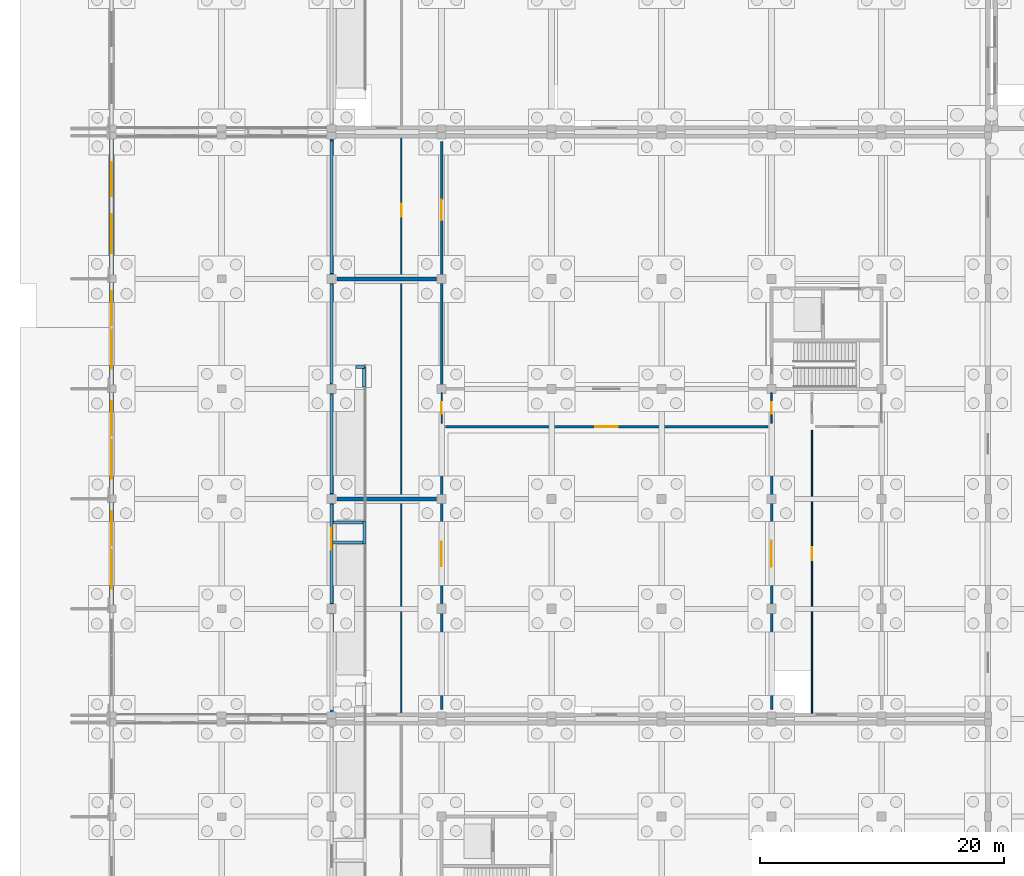
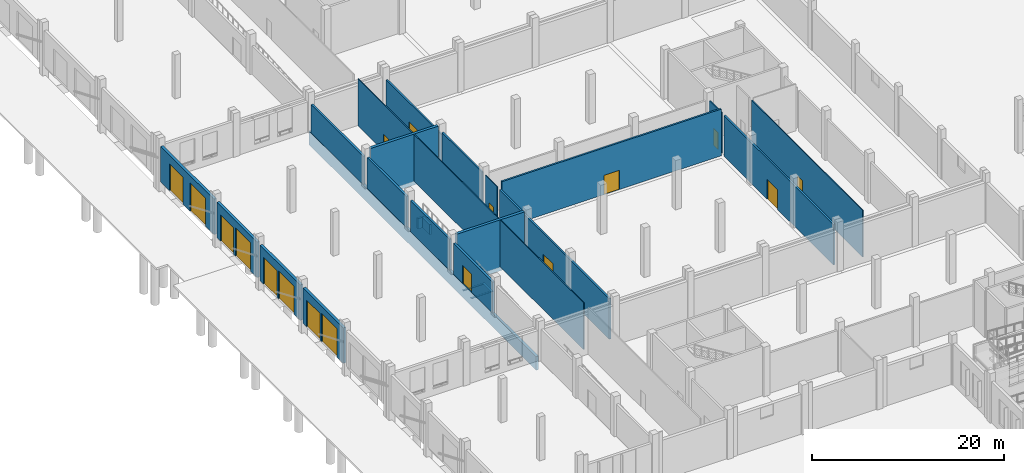
# One storey, part 60 of 99: 25 walls, 17 doors, 17 openings.
"""IFC4 building model written with IfcOpenShell, lengths in metres."""

from ifc_helpers import new_model, si_unit, direction, frame, frame_2d, origin, place, context, subcontext, project, spatial, rectangle, extrude, material, layer, layer_set, type_object, element, fill, save


model = new_model("IFC4")

# Units and contexts
model_context = context("Model", 3, precision=1e-05, world=origin(), true_north=direction((0.0, 1.0)))
body_context = subcontext(model_context, "Body", "Model", "MODEL_VIEW")
ifc_project = project(units=[si_unit("LENGTHUNIT", "METRE"), si_unit("AREAUNIT", "SQUARE_METRE"), si_unit("VOLUMEUNIT", "CUBIC_METRE"), si_unit("PLANEANGLEUNIT", "RADIAN"), si_unit("MASSUNIT", "GRAM", prefix="KILO")], contexts=[model_context])

# Site, building, storey
site_placement = place(None, origin())
site = spatial("IfcSite", under=ifc_project, at=site_placement, CompositionType="ELEMENT")
building_placement = place(site_placement, origin())
building = spatial("IfcBuilding", under=site, at=building_placement, Name="Zacnel Wholesale Market", CompositionType="ELEMENT")
storey_placement = place(building_placement, origin())
storey = spatial("IfcBuildingStorey", under=building, at=storey_placement, Name="L01", CompositionType="ELEMENT", Elevation=0.0)

# Wall
ifc_material_1 = material(Name="PIR insulated cold-store panel")
ifc_layer_1 = layer(ifc_material_1, 0.195068359375)
ifc_layer_set_1 = layer_set([ifc_layer_1], Name="PIR insulated cold-store panel")
wall_type_1 = type_object("IfcWallType", Name="WL-COLD-INT195", PredefinedType="STANDARD", material=ifc_layer_set_1)
wall_1_placement = place(storey_placement, frame((27.0, 75.300048828125, 0.0), z_axis=(0.0, 0.0, 1.0), x_axis=(0.0, 1.0, 0.0)))
element("IfcWall", 1, at=wall_1_placement, inside=storey, type_object=wall_type_1, Name="Interior partition L01-0006", PredefinedType="STANDARD", context=body_context, shape_type="SweptSolid", body=[
    extrude(rectangle(XDim=8.324951171875, YDim=0.195068359375, at=frame_2d((4.16259765625, 0.0))), origin(), (0.0, 0.0, 1.0), 5.179931640625),
])

# Wall, opening, door
wall_2_placement = place(storey_placement, frame((27.0, 83.625, 0.0), z_axis=(0.0, 0.0, 1.0), x_axis=(0.0, 1.0, 0.0)))
wall_2 = element("IfcWall", 2, at=wall_2_placement, inside=storey, type_object=wall_type_1, Name="Interior partition L01-0006 part 2", PredefinedType="STANDARD", context=body_context, shape_type="SweptSolid", body=[
    extrude(rectangle(XDim=11.625, YDim=0.195068359375, at=frame_2d((5.8125, 0.0))), origin(), (0.0, 0.0, 1.0), 4.830078125),
])
opening_1_placement = place(wall_2_placement, frame((5.14990234375, 0.0, 0.0)))
opening_1 = element("IfcOpeningElement", 3, at=opening_1_placement, cuts=wall_2, Name="Opening CD-02", PredefinedType="OPENING", context=body_context, shape_type="SweptSolid", body=[
    extrude(rectangle(XDim=1.699951171875, YDim=2.39990234375, at=frame_2d((0.85009765625, 1.199951171875))), frame((0.0, 0.107421875, 0.0), z_axis=(0.0, -1.0, 0.0), x_axis=(1.0, 0.0, 0.0)), (0.0, 0.0, 1.0), 0.215087890625),
])
ifc_material_2 = material(Name="Galvanized steel", Category="steel")
door_type_1 = type_object("IfcDoorType", Name="DR-COLD-SLIDE-1700", OperationType="NOTDEFINED", PredefinedType="DOOR", material=ifc_material_2)
door_1_placement = place(opening_1_placement, origin())
door_1 = element("IfcDoor", 4, at=door_1_placement, inside=storey, type_object=door_type_1, Name="Interior door L01-0006", OperationType="SLIDING_TO_LEFT", OverallHeight=2.39990234375, OverallWidth=1.699951171875, PredefinedType="DOOR", context=body_context, shape_type="SweptSolid", body=[
    extrude(rectangle(XDim=1.699951171875, YDim=2.39990234375, at=frame_2d((0.85009765625, 1.199951171875))), frame((0.0, 0.02490234375, 0.0), z_axis=(0.0, -1.0, 0.0), x_axis=(1.0, 0.0, 0.0)), (0.0, 0.0, 1.0), 0.050048828125),
])
fill(opening_1, door_1)

ifc_material_3 = material(Name="PIR insulated cold-store panel")
ifc_layer_2 = layer(ifc_material_3, 0.2099609375)
ifc_layer_set_2 = layer_set([ifc_layer_2], Name="PIR insulated cold-store panel")
wall_type_2 = type_object("IfcWallType", Name="WL-COLD-INT210", PredefinedType="STANDARD", material=ifc_layer_set_2)
wall_3_placement = place(storey_placement, frame((27.0, 48.75, 0.0), z_axis=(0.0, 0.0, 1.0), x_axis=(0.0, 1.0, 0.0)))
wall_3 = element("IfcWall", 5, at=wall_3_placement, inside=storey, type_object=wall_type_2, Name="Interior partition L01-0005", PredefinedType="STANDARD", context=body_context, shape_type="SweptSolid", body=[
    extrude(rectangle(XDim=22.85009765625, YDim=0.2099609375, at=frame_2d((11.425048828125, 0.0))), origin(), (0.0, 0.0, 1.0), 5.179931640625),
])
opening_2_placement = place(wall_3_placement, frame((11.75, 0.0, 0.0)))
opening_2 = element("IfcOpeningElement", 6, at=opening_2_placement, cuts=wall_3, Name="Opening CD-01", PredefinedType="OPENING", context=body_context, shape_type="SweptSolid", body=[
    extrude(rectangle(XDim=2.0, YDim=2.5, at=frame_2d((1.0, 1.25))), frame((0.0, 0.114990234375, 0.0), z_axis=(0.0, -1.0, 0.0), x_axis=(1.0, 0.0, 0.0)), (0.0, 0.0, 1.0), 0.22998046875),
])
ifc_material_4 = material(Name="Galvanized steel", Category="steel")
door_type_2 = type_object("IfcDoorType", Name="DR-COLD-SLIDE-2000", OperationType="NOTDEFINED", PredefinedType="DOOR", material=ifc_material_4)
door_2_placement = place(opening_2_placement, origin())
door_2 = element("IfcDoor", 7, at=door_2_placement, inside=storey, type_object=door_type_2, Name="Interior door L01-0005", OperationType="SLIDING_TO_LEFT", OverallHeight=2.5, OverallWidth=2.0, PredefinedType="DOOR", context=body_context, shape_type="SweptSolid", body=[
    extrude(rectangle(XDim=2.0, YDim=2.5, at=frame_2d((1.0, 1.25))), frame((0.0, 0.02490234375, 0.0), z_axis=(0.0, -1.0, 0.0), x_axis=(1.0, 0.0, 0.0)), (0.0, 0.0, 1.0), 0.050048828125),
])
fill(opening_2, door_2)

wall_4_placement = place(storey_placement, frame((27.300048828125, 71.89990234375, 0.0), z_axis=(0.0, 0.0, 1.0), x_axis=(1.0, 0.0, 0.0)))
wall_4 = element("IfcWall", 8, at=wall_4_placement, inside=storey, type_object=wall_type_2, Name="Interior partition L01-0007", PredefinedType="STANDARD", context=body_context, shape_type="SweptSolid", body=[
    extrude(rectangle(XDim=26.39990234375, YDim=0.2099609375, at=frame_2d((13.199951171875, 0.0))), origin(), (0.0, 0.0, 1.0), 5.949951171875),
])
opening_3_placement = place(wall_4_placement, frame((12.27001953125, 0.0, 0.0)))
opening_3 = element("IfcOpeningElement", 9, at=opening_3_placement, cuts=wall_4, Name="Opening CD-03", PredefinedType="OPENING", context=body_context, shape_type="SweptSolid", body=[
    extrude(rectangle(XDim=1.860107421875, YDim=2.449951171875, at=frame_2d((0.93017578125, 1.22509765625))), frame((0.0, 0.114990234375, 0.0), z_axis=(0.0, -1.0, 0.0), x_axis=(1.0, 0.0, 0.0)), (0.0, 0.0, 1.0), 0.22998046875),
])
ifc_material_5 = material(Name="Galvanized steel", Category="steel")
door_type_3 = type_object("IfcDoorType", Name="DR-COLD-SLIDE-1860", OperationType="NOTDEFINED", PredefinedType="DOOR", material=ifc_material_5)
door_3_placement = place(opening_3_placement, origin())
door_3 = element("IfcDoor", 10, at=door_3_placement, inside=storey, type_object=door_type_3, Name="Interior door L01-0007", OperationType="SLIDING_TO_LEFT", OverallHeight=2.449951171875, OverallWidth=1.860107421875, PredefinedType="DOOR", context=body_context, shape_type="SweptSolid", body=[
    extrude(rectangle(XDim=1.860107421875, YDim=2.449951171875, at=frame_2d((0.93017578125, 1.22509765625))), frame((0.0, 0.02490234375, 0.0), z_axis=(0.0, -1.0, 0.0), x_axis=(1.0, 0.0, 0.0)), (0.0, 0.0, 1.0), 0.050048828125),
])
fill(opening_3, door_3)

wall_5_placement = place(storey_placement, frame((54.0, 48.75, 0.0), z_axis=(0.0, 0.0, 1.0), x_axis=(0.0, 1.0, 0.0)))
wall_5 = element("IfcWall", 11, at=wall_5_placement, inside=storey, type_object=wall_type_2, Name="Interior partition L01-0015", PredefinedType="STANDARD", context=body_context, shape_type="SweptSolid", body=[
    extrude(rectangle(XDim=22.85009765625, YDim=0.2099609375, at=frame_2d((11.425048828125, 0.0))), origin(), (0.0, 0.0, 1.0), 5.179931640625),
])
opening_4_placement = place(wall_5_placement, frame((11.675048828125, 0.0, 0.0)))
opening_4 = element("IfcOpeningElement", 12, at=opening_4_placement, cuts=wall_5, Name="Opening CD-04", PredefinedType="OPENING", context=body_context, shape_type="SweptSolid", body=[
    extrude(rectangle(XDim=2.14990234375, YDim=2.550048828125, at=frame_2d((1.074951171875, 1.27490234375))), frame((0.0, 0.114990234375, 0.0), z_axis=(0.0, -1.0, 0.0), x_axis=(1.0, 0.0, 0.0)), (0.0, 0.0, 1.0), 0.22998046875),
])
ifc_material_6 = material(Name="Galvanized steel", Category="steel")
door_type_4 = type_object("IfcDoorType", Name="DR-COLD-SLIDE-2150", OperationType="NOTDEFINED", PredefinedType="DOOR", material=ifc_material_6)
door_4_placement = place(opening_4_placement, origin())
door_4 = element("IfcDoor", 13, at=door_4_placement, inside=storey, type_object=door_type_4, Name="Interior door L01-0012", OperationType="SLIDING_TO_LEFT", OverallHeight=2.550048828125, OverallWidth=2.14990234375, PredefinedType="DOOR", context=body_context, shape_type="SweptSolid", body=[
    extrude(rectangle(XDim=2.14990234375, YDim=2.550048828125, at=frame_2d((1.074951171875, 1.27490234375))), frame((0.0, 0.02490234375, 0.0), z_axis=(0.0, -1.0, 0.0), x_axis=(1.0, 0.0, 0.0)), (0.0, 0.0, 1.0), 0.050048828125),
])
fill(opening_4, door_4)

ifc_material_7 = material(Name="Concrete C40/50", Category="concrete")
ifc_layer_3 = layer(ifc_material_7, 0.2548828125)
ifc_layer_set_3 = layer_set([ifc_layer_3], Name="Concrete C40/50")
wall_type_3 = type_object("IfcWallType", Name="WL-COMP-FW250", PredefinedType="STANDARD", material=ifc_layer_set_3)
wall_6_placement = place(storey_placement, frame((18.0, 57.419921875, 1.22509765625), z_axis=(0.0, 0.0, 1.0), x_axis=(0.0, 1.0, 0.0)))
wall_6 = element("IfcWall", 14, at=wall_6_placement, inside=storey, type_object=wall_type_3, Name="EI-120 fire compartment barrier wall 07", PredefinedType="STANDARD", context=body_context, shape_type="SweptSolid", body=[
    extrude(rectangle(XDim=8.16015625, YDim=0.2548828125, at=frame_2d((4.080078125, 0.0))), origin(), (0.0, 0.0, 1.0), 3.954833984375),
])
opening_5_placement = place(wall_6_placement, frame((4.429931640625, 0.0, 0.0)))
opening_5 = element("IfcOpeningElement", 15, at=opening_5_placement, cuts=wall_6, Name="Opening FD-03", PredefinedType="OPENING", context=body_context, shape_type="SweptSolid", body=[
    extrude(rectangle(XDim=1.800048828125, YDim=2.300048828125, at=frame_2d((0.89990234375, 1.14990234375))), frame((0.0, 0.137451171875, 0.0), z_axis=(0.0, -1.0, 0.0), x_axis=(1.0, 0.0, 0.0)), (0.0, 0.0, 1.0), 0.27490234375),
])
ifc_material_8 = material(Name="Galvanized steel", Category="steel")
door_type_5 = type_object("IfcDoorType", Name="DR-FIRE-COMP-1800", OperationType="NOTDEFINED", PredefinedType="DOOR", material=ifc_material_8)
door_5_placement = place(opening_5_placement, origin())
door_5 = element("IfcDoor", 16, at=door_5_placement, inside=storey, type_object=door_type_5, Name="Cold-chain dock airlock fire door 07", OperationType="SINGLE_SWING_RIGHT", OverallHeight=2.300048828125, OverallWidth=1.800048828125, PredefinedType="DOOR", context=body_context, shape_type="SweptSolid", body=[
    extrude(rectangle(XDim=1.800048828125, YDim=2.300048828125, at=frame_2d((0.89990234375, 1.14990234375))), frame((0.0, 0.02490234375, 0.0), z_axis=(0.0, -1.0, 0.0), x_axis=(1.0, 0.0, 0.0)), (0.0, 0.0, 1.0), 0.050048828125),
])
fill(opening_5, door_5)

# Walls
for number, where, z_axis, x_axis, name in (
    (17, (18.0, 66.419921875, 1.22509765625), (0.0, 0.0, 1.0), (0.0, 1.0, 0.0), "EI-120 fire compartment barrier wall 08"),
    (18, (18.0, 75.419921875, 1.22509765625), (0.0, 0.0, 1.0), (0.0, 1.0, 0.0), "EI-120 fire compartment barrier wall 09"),
):
    element("IfcWall", number, at=place(storey_placement, frame(where, z_axis=z_axis, x_axis=x_axis)), inside=storey, type_object=wall_type_3, Name=name, PredefinedType="STANDARD", context=body_context, shape_type="SweptSolid", body=[
        extrude(rectangle(XDim=8.16015625, YDim=0.2548828125, at=frame_2d((4.080078125, 0.0))), origin(), (0.0, 0.0, 1.0), 3.954833984375),
    ])
wall_7_placement = place(storey_placement, frame((18.0, 84.419921875, 1.22509765625), z_axis=(0.0, 0.0, 1.0), x_axis=(0.0, 1.0, 0.0)))
element("IfcWall", 19, at=wall_7_placement, inside=storey, type_object=wall_type_3, Name="EI-120 fire compartment barrier wall 10", PredefinedType="STANDARD", context=body_context, shape_type="SweptSolid", body=[
    extrude(rectangle(XDim=10.860107421875, YDim=0.2548828125, at=frame_2d((5.43017578125, 0.0))), origin(), (0.0, 0.0, 1.0), 3.60498046875),
])
ifc_material_9 = material(Name="Concrete C40/50", Category="concrete")
ifc_layer_4 = layer(ifc_material_9, 0.25)
ifc_layer_set_4 = layer_set([ifc_layer_4], Name="Concrete C40/50")
wall_type_4 = type_object("IfcWallType", Name="WL-CORE-SW250", PredefinedType="SOLIDWALL", material=ifc_layer_set_4)
wall_8_placement = place(storey_placement, frame((20.675048828125, 62.300048828125, 0.0), z_axis=(0.0, 0.0, 1.0), x_axis=(0.0, 1.0, 0.0)))
element("IfcWall", 20, at=wall_8_placement, inside=storey, type_object=wall_type_4, Name="Accessible ramp RP-01 (RMP-DOCK-M) mid-landing bearing kerb E", PredefinedType="SOLIDWALL", context=body_context, shape_type="SweptSolid", body=[
    extrude(rectangle(XDim=1.89990234375, YDim=0.25, at=frame_2d((0.949951171875, 0.0))), origin(), (0.0, 0.0, 1.0), 0.02490234375),
])
for number, where, z_axis, x_axis, name in (
    (21, (18.14990234375, 62.425048828125, 0.0), (0.0, 0.0, 1.0), (1.0, 0.0, 0.0), "Accessible ramp RP-01 (RMP-DOCK-M) mid-landing bearing kerb S"),
    (22, (18.14990234375, 64.074951171875, 0.0), (0.0, 0.0, 1.0), (1.0, 0.0, 0.0), "Accessible ramp RP-01 (RMP-DOCK-M) mid-landing bearing kerb N"),
):
    element("IfcWall", number, at=place(storey_placement, frame(where, z_axis=z_axis, x_axis=x_axis)), inside=storey, type_object=wall_type_4, Name=name, PredefinedType="SOLIDWALL", context=body_context, shape_type="SweptSolid", body=[
        extrude(rectangle(XDim=2.400146484375, YDim=0.25, at=frame_2d((1.2001953125, 0.0))), origin(), (0.0, 0.0, 1.0), 0.02490234375),
    ])
wall_9_placement = place(storey_placement, frame((20.64990234375, 75.14990234375, -0.5), z_axis=(0.0, 0.0, 1.0), x_axis=(0.0, 1.0, 0.0)))
element("IfcWall", 23, at=wall_9_placement, inside=storey, type_object=wall_type_4, Name="Accessible ramp RP-01 (RMP-DOCK-M) east plinth wall", PredefinedType="SOLIDWALL", context=body_context, shape_type="SweptSolid", body=[
    extrude(rectangle(XDim=1.650146484375, YDim=0.25, at=frame_2d((0.8251953125, 0.0))), origin(), (0.0, 0.0, 1.0), 1.324951171875),
])
wall_10_placement = place(storey_placement, frame((20.0, 76.800048828125, -0.5), z_axis=(0.0, 0.0, 1.0), x_axis=(1.0, 0.0, 0.0)))
element("IfcWall", 24, at=wall_10_placement, inside=storey, type_object=wall_type_4, Name="Accessible ramp RP-01 (RMP-DOCK-M) north plinth wall", PredefinedType="SOLIDWALL", context=body_context, shape_type="SweptSolid", body=[
    extrude(rectangle(XDim=0.699951171875, YDim=0.25, at=frame_2d((0.35009765625, 0.0))), origin(), (0.0, 0.0, 1.0), 1.324951171875),
])
ifc_material_10 = material(Name="Concrete C40/50", Category="concrete")
ifc_layer_5 = layer(ifc_material_10, 0.300048828125)
ifc_layer_set_5 = layer_set([ifc_layer_5], Name="Concrete C40/50")
wall_type_5 = type_object("IfcWallType", Name="WL-DOCK-RET300", PredefinedType="SOLIDWALL", material=ifc_layer_set_5)
wall_11_placement = place(storey_placement, frame((18.0, 48.300048828125, -0.5), z_axis=(0.0, 0.0, 1.0), x_axis=(0.0, 1.0, 0.0)))
element("IfcWall", 25, at=wall_11_placement, inside=storey, type_object=wall_type_5, Name="Dock plinth retaining wall 02", PredefinedType="SOLIDWALL", context=body_context, shape_type="SweptSolid", body=[
    extrude(rectangle(XDim=47.39990234375, YDim=0.300048828125, at=frame_2d((23.699951171875, 0.0))), origin(), (0.0, 0.0, 1.0), 1.72509765625),
])

# Wall, openings, doors
ifc_material_11 = material(Name="Precast concrete C40/50 (insulated sandwich panel)", Category="concrete")
ifc_layer_6 = layer(ifc_material_11, 0.320068359375)
ifc_layer_set_6 = layer_set([ifc_layer_6], Name="Precast concrete C40/50 (insulated sandwich panel)")
wall_type_6 = type_object("IfcWallType", Name="WL-EXT-COLD-320", PredefinedType="SOLIDWALL", material=ifc_layer_set_6)
wall_12_placement = place(storey_placement, frame((0.0, 57.300048828125, 1.22509765625), z_axis=(0.0, 0.0, 1.0), x_axis=(0.0, 1.0, 0.0)))
wall_12 = element("IfcWall", 26, at=wall_12_placement, inside=storey, type_object=wall_type_6, Name="Exterior wall L01-0011", PredefinedType="SOLIDWALL", context=body_context, shape_type="SweptSolid", body=[
    extrude(rectangle(XDim=8.39990234375, YDim=0.320068359375, at=frame_2d((4.199951171875, 0.0))), origin(), (0.0, 0.0, 1.0), 4.514892578125),
])
opening_6_placement = place(wall_12_placement, frame((1.343994140625, 0.0, 0.0)))
opening_6 = element("IfcOpeningElement", 27, at=opening_6_placement, cuts=wall_12, Name="Opening GD-320", PredefinedType="OPENING", context=body_context, shape_type="SweptSolid", body=[
    extrude(rectangle(XDim=3.199951171875, YDim=3.60009765625, at=frame_2d((1.60009765625, 1.800048828125))), frame((0.0, 0.169921875, 0.0), z_axis=(0.0, -1.0, 0.0), x_axis=(1.0, 0.0, 0.0)), (0.0, 0.0, 1.0), 0.340087890625),
])
opening_7_placement = place(wall_12_placement, frame((4.8720703125, 0.0, 0.0)))
opening_7 = element("IfcOpeningElement", 28, at=opening_7_placement, cuts=wall_12, Name="Opening GD-280", PredefinedType="OPENING", context=body_context, shape_type="SweptSolid", body=[
    extrude(rectangle(XDim=2.800048828125, YDim=3.39990234375, at=frame_2d((1.39990234375, 1.699951171875))), frame((0.0, 0.169921875, 0.0), z_axis=(0.0, -1.0, 0.0), x_axis=(1.0, 0.0, 0.0)), (0.0, 0.0, 1.0), 0.340087890625),
])
ifc_material_12 = material(Name="Galvanized steel S355", Category="steel")
door_type_6 = type_object("IfcDoorType", Name="DR-DOCK-ROLL-2800", OperationType="NOTDEFINED", PredefinedType="GATE", material=ifc_material_12)
door_6_placement = place(opening_7_placement, origin())
door_6 = element("IfcDoor", 29, at=door_6_placement, inside=storey, type_object=door_type_6, Name="Loading dock shutter 07", OperationType="ROLLINGUP", OverallHeight=3.39990234375, OverallWidth=2.800048828125, PredefinedType="GATE", context=body_context, shape_type="SweptSolid", body=[
    extrude(rectangle(XDim=2.800048828125, YDim=3.39990234375, at=frame_2d((1.39990234375, 1.699951171875))), frame((0.0, 0.02490234375, 0.0), z_axis=(0.0, -1.0, 0.0), x_axis=(1.0, 0.0, 0.0)), (0.0, 0.0, 1.0), 0.050048828125),
])
fill(opening_7, door_6)
ifc_material_13 = material(Name="Galvanized steel S355", Category="steel")
door_type_7 = type_object("IfcDoorType", Name="DR-DOCK-ROLL-3200", OperationType="NOTDEFINED", PredefinedType="GATE", material=ifc_material_13)
door_7_placement = place(opening_6_placement, origin())
door_7 = element("IfcDoor", 30, at=door_7_placement, inside=storey, type_object=door_type_7, Name="Loading dock shutter 06", OperationType="ROLLINGUP", OverallHeight=3.60009765625, OverallWidth=3.199951171875, PredefinedType="GATE", context=body_context, shape_type="SweptSolid", body=[
    extrude(rectangle(XDim=3.199951171875, YDim=3.60009765625, at=frame_2d((1.60009765625, 1.800048828125))), frame((0.0, 0.02490234375, 0.0), z_axis=(0.0, -1.0, 0.0), x_axis=(1.0, 0.0, 0.0)), (0.0, 0.0, 1.0), 0.050048828125),
])
fill(opening_6, door_7)

wall_13_placement = place(storey_placement, frame((0.0, 66.300048828125, 1.22509765625), z_axis=(0.0, 0.0, 1.0), x_axis=(0.0, 1.0, 0.0)))
wall_13 = element("IfcWall", 31, at=wall_13_placement, inside=storey, type_object=wall_type_6, Name="Exterior wall L01-0012", PredefinedType="SOLIDWALL", context=body_context, shape_type="SweptSolid", body=[
    extrude(rectangle(XDim=8.39990234375, YDim=0.320068359375, at=frame_2d((4.199951171875, 0.0))), origin(), (0.0, 0.0, 1.0), 4.514892578125),
])
opening_8_placement = place(wall_13_placement, frame((1.343994140625, 0.0, 0.0)))
opening_8 = element("IfcOpeningElement", 32, at=opening_8_placement, cuts=wall_13, Name="Opening GD-320", PredefinedType="OPENING", context=body_context, shape_type="SweptSolid", body=[
    extrude(rectangle(XDim=3.199951171875, YDim=3.60009765625, at=frame_2d((1.60009765625, 1.800048828125))), frame((0.0, 0.169921875, 0.0), z_axis=(0.0, -1.0, 0.0), x_axis=(1.0, 0.0, 0.0)), (0.0, 0.0, 1.0), 0.340087890625),
])
opening_9_placement = place(wall_13_placement, frame((4.8720703125, 0.0, 0.0)))
opening_9 = element("IfcOpeningElement", 33, at=opening_9_placement, cuts=wall_13, Name="Opening GD-280", PredefinedType="OPENING", context=body_context, shape_type="SweptSolid", body=[
    extrude(rectangle(XDim=2.800048828125, YDim=3.39990234375, at=frame_2d((1.39990234375, 1.699951171875))), frame((0.0, 0.169921875, 0.0), z_axis=(0.0, -1.0, 0.0), x_axis=(1.0, 0.0, 0.0)), (0.0, 0.0, 1.0), 0.340087890625),
])
door_8_placement = place(opening_9_placement, origin())
door_8 = element("IfcDoor", 34, at=door_8_placement, inside=storey, type_object=door_type_6, Name="Loading dock shutter 09", OperationType="ROLLINGUP", OverallHeight=3.39990234375, OverallWidth=2.800048828125, PredefinedType="GATE", context=body_context, shape_type="SweptSolid", body=[
    extrude(rectangle(XDim=2.800048828125, YDim=3.39990234375, at=frame_2d((1.39990234375, 1.699951171875))), frame((0.0, 0.02490234375, 0.0), z_axis=(0.0, -1.0, 0.0), x_axis=(1.0, 0.0, 0.0)), (0.0, 0.0, 1.0), 0.050048828125),
])
fill(opening_9, door_8)
door_9_placement = place(opening_8_placement, origin())
door_9 = element("IfcDoor", 35, at=door_9_placement, inside=storey, type_object=door_type_7, Name="Loading dock shutter 08", OperationType="ROLLINGUP", OverallHeight=3.60009765625, OverallWidth=3.199951171875, PredefinedType="GATE", context=body_context, shape_type="SweptSolid", body=[
    extrude(rectangle(XDim=3.199951171875, YDim=3.60009765625, at=frame_2d((1.60009765625, 1.800048828125))), frame((0.0, 0.02490234375, 0.0), z_axis=(0.0, -1.0, 0.0), x_axis=(1.0, 0.0, 0.0)), (0.0, 0.0, 1.0), 0.050048828125),
])
fill(opening_8, door_9)

wall_14_placement = place(storey_placement, frame((0.0, 75.300048828125, 1.22509765625), z_axis=(0.0, 0.0, 1.0), x_axis=(0.0, 1.0, 0.0)))
wall_14 = element("IfcWall", 36, at=wall_14_placement, inside=storey, type_object=wall_type_6, Name="Exterior wall L01-0013", PredefinedType="SOLIDWALL", context=body_context, shape_type="SweptSolid", body=[
    extrude(rectangle(XDim=8.39990234375, YDim=0.320068359375, at=frame_2d((4.199951171875, 0.0))), origin(), (0.0, 0.0, 1.0), 4.514892578125),
])
opening_10_placement = place(wall_14_placement, frame((1.343994140625, 0.0, 0.0)))
opening_10 = element("IfcOpeningElement", 37, at=opening_10_placement, cuts=wall_14, Name="Opening GD-320", PredefinedType="OPENING", context=body_context, shape_type="SweptSolid", body=[
    extrude(rectangle(XDim=3.199951171875, YDim=3.60009765625, at=frame_2d((1.60009765625, 1.800048828125))), frame((0.0, 0.169921875, 0.0), z_axis=(0.0, -1.0, 0.0), x_axis=(1.0, 0.0, 0.0)), (0.0, 0.0, 1.0), 0.340087890625),
])
opening_11_placement = place(wall_14_placement, frame((4.8720703125, 0.0, 0.0)))
opening_11 = element("IfcOpeningElement", 38, at=opening_11_placement, cuts=wall_14, Name="Opening GD-280", PredefinedType="OPENING", context=body_context, shape_type="SweptSolid", body=[
    extrude(rectangle(XDim=2.800048828125, YDim=3.39990234375, at=frame_2d((1.39990234375, 1.699951171875))), frame((0.0, 0.169921875, 0.0), z_axis=(0.0, -1.0, 0.0), x_axis=(1.0, 0.0, 0.0)), (0.0, 0.0, 1.0), 0.340087890625),
])
door_10_placement = place(opening_11_placement, origin())
door_10 = element("IfcDoor", 39, at=door_10_placement, inside=storey, type_object=door_type_6, Name="Loading dock shutter 11", OperationType="ROLLINGUP", OverallHeight=3.39990234375, OverallWidth=2.800048828125, PredefinedType="GATE", context=body_context, shape_type="SweptSolid", body=[
    extrude(rectangle(XDim=2.800048828125, YDim=3.39990234375, at=frame_2d((1.39990234375, 1.699951171875))), frame((0.0, 0.02490234375, 0.0), z_axis=(0.0, -1.0, 0.0), x_axis=(1.0, 0.0, 0.0)), (0.0, 0.0, 1.0), 0.050048828125),
])
fill(opening_11, door_10)
door_11_placement = place(opening_10_placement, origin())
door_11 = element("IfcDoor", 40, at=door_11_placement, inside=storey, type_object=door_type_7, Name="Loading dock shutter 10", OperationType="ROLLINGUP", OverallHeight=3.60009765625, OverallWidth=3.199951171875, PredefinedType="GATE", context=body_context, shape_type="SweptSolid", body=[
    extrude(rectangle(XDim=3.199951171875, YDim=3.60009765625, at=frame_2d((1.60009765625, 1.800048828125))), frame((0.0, 0.02490234375, 0.0), z_axis=(0.0, -1.0, 0.0), x_axis=(1.0, 0.0, 0.0)), (0.0, 0.0, 1.0), 0.050048828125),
])
fill(opening_10, door_11)

wall_15_placement = place(storey_placement, frame((0.0, 84.300048828125, 1.22509765625), z_axis=(0.0, 0.0, 1.0), x_axis=(0.0, 1.0, 0.0)))
wall_15 = element("IfcWall", 41, at=wall_15_placement, inside=storey, type_object=wall_type_6, Name="Exterior wall L01-0014", PredefinedType="SOLIDWALL", context=body_context, shape_type="SweptSolid", body=[
    extrude(rectangle(XDim=11.125, YDim=0.320068359375, at=frame_2d((5.5625, 0.0))), origin(), (0.0, 0.0, 1.0), 4.514892578125),
])
opening_12_placement = place(wall_15_placement, frame((1.780029296875, 0.0, 0.0)))
opening_12 = element("IfcOpeningElement", 42, at=opening_12_placement, cuts=wall_15, Name="Opening GD-320", PredefinedType="OPENING", context=body_context, shape_type="SweptSolid", body=[
    extrude(rectangle(XDim=3.199951171875, YDim=3.60009765625, at=frame_2d((1.60009765625, 1.800048828125))), frame((0.0, 0.169921875, 0.0), z_axis=(0.0, -1.0, 0.0), x_axis=(1.0, 0.0, 0.0)), (0.0, 0.0, 1.0), 0.340087890625),
])
opening_13_placement = place(wall_15_placement, frame((6.451904296875, 0.0, 0.0)))
opening_13 = element("IfcOpeningElement", 43, at=opening_13_placement, cuts=wall_15, Name="Opening GD-280", PredefinedType="OPENING", context=body_context, shape_type="SweptSolid", body=[
    extrude(rectangle(XDim=2.800048828125, YDim=3.39990234375, at=frame_2d((1.39990234375, 1.699951171875))), frame((0.0, 0.169921875, 0.0), z_axis=(0.0, -1.0, 0.0), x_axis=(1.0, 0.0, 0.0)), (0.0, 0.0, 1.0), 0.340087890625),
])
door_12_placement = place(opening_13_placement, origin())
door_12 = element("IfcDoor", 44, at=door_12_placement, inside=storey, type_object=door_type_6, Name="Loading dock shutter 13", OperationType="ROLLINGUP", OverallHeight=3.39990234375, OverallWidth=2.800048828125, PredefinedType="GATE", context=body_context, shape_type="SweptSolid", body=[
    extrude(rectangle(XDim=2.800048828125, YDim=3.39990234375, at=frame_2d((1.39990234375, 1.699951171875))), frame((0.0, 0.02490234375, 0.0), z_axis=(0.0, -1.0, 0.0), x_axis=(1.0, 0.0, 0.0)), (0.0, 0.0, 1.0), 0.050048828125),
])
fill(opening_13, door_12)
door_13_placement = place(opening_12_placement, origin())
door_13 = element("IfcDoor", 45, at=door_13_placement, inside=storey, type_object=door_type_7, Name="Loading dock shutter 12", OperationType="ROLLINGUP", OverallHeight=3.60009765625, OverallWidth=3.199951171875, PredefinedType="GATE", context=body_context, shape_type="SweptSolid", body=[
    extrude(rectangle(XDim=3.199951171875, YDim=3.60009765625, at=frame_2d((1.60009765625, 1.800048828125))), frame((0.0, 0.02490234375, 0.0), z_axis=(0.0, -1.0, 0.0), x_axis=(1.0, 0.0, 0.0)), (0.0, 0.0, 1.0), 0.050048828125),
])
fill(opening_12, door_13)

# Wall, opening, door
ifc_material_14 = material(Name="Moisture-resistant gypsum board partition")
ifc_layer_7 = layer(ifc_material_14, 0.10009765625)
ifc_layer_set_7 = layer_set([ifc_layer_7], Name="Moisture-resistant gypsum board partition")
wall_type_7 = type_object("IfcWallType", Name="WL-PART-GYP100", PredefinedType="PARTITIONING", material=ifc_layer_set_7)
wall_16_placement = place(storey_placement, frame((27.0, 72.199951171875, 0.0), z_axis=(0.0, 0.0, 1.0), x_axis=(0.0, 1.0, 0.0)))
wall_16 = element("IfcWall", 46, at=wall_16_placement, inside=storey, type_object=wall_type_7, Name="Interior partition L01-0004", PredefinedType="PARTITIONING", context=body_context, shape_type="SweptSolid", body=[
    extrude(rectangle(XDim=2.5, YDim=0.10009765625, at=frame_2d((1.25, 0.0))), origin(), (0.0, 0.0, 1.0), 5.179931640625),
])
opening_14_placement = place(wall_16_placement, frame((0.780029296875, 0.0, 0.0)))
opening_14 = element("IfcOpeningElement", 47, at=opening_14_placement, cuts=wall_16, Name="Opening ID-11", PredefinedType="OPENING", context=body_context, shape_type="SweptSolid", body=[
    extrude(rectangle(XDim=0.93994140625, YDim=2.139892578125, at=frame_2d((0.469970703125, 1.06982421875))), frame((0.0, 0.06005859375, 0.0), z_axis=(0.0, -1.0, 0.0), x_axis=(1.0, 0.0, 0.0)), (0.0, 0.0, 1.0), 0.1201171875),
])
ifc_material_15 = material(Name="Solid-core tropical hardwood door", Category="wood")
door_type_8 = type_object("IfcDoorType", Name="DR-OFF-SGL-940", OperationType="NOTDEFINED", PredefinedType="DOOR", material=ifc_material_15)
door_14_placement = place(opening_14_placement, origin())
door_14 = element("IfcDoor", 48, at=door_14_placement, inside=storey, type_object=door_type_8, Name="Interior door L01-0004", OperationType="SINGLE_SWING_LEFT", OverallHeight=2.139892578125, OverallWidth=0.93994140625, PredefinedType="DOOR", context=body_context, shape_type="SweptSolid", body=[
    extrude(rectangle(XDim=0.93994140625, YDim=2.139892578125, at=frame_2d((0.469970703125, 1.06982421875))), frame((0.0, 0.02490234375, 0.0), z_axis=(0.0, -1.0, 0.0), x_axis=(1.0, 0.0, 0.0)), (0.0, 0.0, 1.0), 0.050048828125),
])
fill(opening_14, door_14)

wall_17_placement = place(storey_placement, frame((57.300048828125, 48.469970703125, 0.0), z_axis=(0.0, 0.0, 1.0), x_axis=(0.0, 1.0, 0.0)))
wall_17 = element("IfcWall", 49, at=wall_17_placement, inside=storey, type_object=wall_type_7, Name="Interior partition L01-0016", PredefinedType="PARTITIONING", context=body_context, shape_type="SweptSolid", body=[
    extrude(rectangle(XDim=23.130126953125, YDim=0.10009765625, at=frame_2d((11.56494140625, 0.0))), origin(), (0.0, 0.0, 1.0), 5.949951171875),
])
opening_15_placement = place(wall_17_placement, frame((12.489990234375, 0.0, 0.0)))
opening_15 = element("IfcOpeningElement", 50, at=opening_15_placement, cuts=wall_17, Name="Opening ID-10", PredefinedType="OPENING", context=body_context, shape_type="SweptSolid", body=[
    extrude(rectangle(XDim=1.080078125, YDim=2.14990234375, at=frame_2d((0.5400390625, 1.074951171875))), frame((0.0, 0.06005859375, 0.0), z_axis=(0.0, -1.0, 0.0), x_axis=(1.0, 0.0, 0.0)), (0.0, 0.0, 1.0), 0.1201171875),
])
ifc_material_16 = material(Name="Galvanized steel", Category="steel")
door_type_9 = type_object("IfcDoorType", Name="DR-STR-SGL-1080", OperationType="NOTDEFINED", PredefinedType="DOOR", material=ifc_material_16)
door_15_placement = place(opening_15_placement, origin())
door_15 = element("IfcDoor", 51, at=door_15_placement, inside=storey, type_object=door_type_9, Name="Interior door L01-0013", OperationType="SINGLE_SWING_RIGHT", OverallHeight=2.14990234375, OverallWidth=1.080078125, PredefinedType="DOOR", context=body_context, shape_type="SweptSolid", body=[
    extrude(rectangle(XDim=1.080078125, YDim=2.14990234375, at=frame_2d((0.5400390625, 1.074951171875))), frame((0.0, 0.02490234375, 0.0), z_axis=(0.0, -1.0, 0.0), x_axis=(1.0, 0.0, 0.0)), (0.0, 0.0, 1.0), 0.050048828125),
])
fill(opening_15, door_15)

ifc_material_17 = material(Name="Moisture-resistant gypsum board partition")
ifc_layer_8 = layer(ifc_material_17, 0.110107421875)
ifc_layer_set_8 = layer_set([ifc_layer_8], Name="Moisture-resistant gypsum board partition")
wall_type_8 = type_object("IfcWallType", Name="WL-PART-GYP110", PredefinedType="PARTITIONING", material=ifc_layer_set_8)
wall_18_placement = place(storey_placement, frame((23.699951171875, 48.469970703125, 0.0), z_axis=(0.0, 0.0, 1.0), x_axis=(0.0, 1.0, 0.0)))
wall_18 = element("IfcWall", 52, at=wall_18_placement, inside=storey, type_object=wall_type_8, Name="Interior partition L01-0003", PredefinedType="PARTITIONING", context=body_context, shape_type="SweptSolid", body=[
    extrude(rectangle(XDim=47.06005859375, YDim=0.110107421875, at=frame_2d((23.530029296875, 0.0))), origin(), (0.0, 0.0, 1.0), 5.949951171875),
])
opening_16_placement = place(wall_18_placement, frame((40.614990234375, 0.0, 0.0)))
opening_16 = element("IfcOpeningElement", 53, at=opening_16_placement, cuts=wall_18, Name="Opening ID-10", PredefinedType="OPENING", context=body_context, shape_type="SweptSolid", body=[
    extrude(rectangle(XDim=1.080078125, YDim=2.14990234375, at=frame_2d((0.5400390625, 1.074951171875))), frame((0.0, 0.06494140625, 0.0), z_axis=(0.0, -1.0, 0.0), x_axis=(1.0, 0.0, 0.0)), (0.0, 0.0, 1.0), 0.130126953125),
])
door_16_placement = place(opening_16_placement, origin())
door_16 = element("IfcDoor", 54, at=door_16_placement, inside=storey, type_object=door_type_9, Name="Interior door L01-0003", OperationType="SINGLE_SWING_RIGHT", OverallHeight=2.14990234375, OverallWidth=1.080078125, PredefinedType="DOOR", context=body_context, shape_type="SweptSolid", body=[
    extrude(rectangle(XDim=1.080078125, YDim=2.14990234375, at=frame_2d((0.5400390625, 1.074951171875))), frame((0.0, 0.02490234375, 0.0), z_axis=(0.0, -1.0, 0.0), x_axis=(1.0, 0.0, 0.0)), (0.0, 0.0, 1.0), 0.050048828125),
])
fill(opening_16, door_16)

ifc_material_18 = material(Name="Moisture-resistant gypsum board partition")
ifc_layer_9 = layer(ifc_material_18, 0.139892578125)
ifc_layer_set_9 = layer_set([ifc_layer_9], Name="Moisture-resistant gypsum board partition")
wall_type_9 = type_object("IfcWallType", Name="WL-PART-GYP140", PredefinedType="PARTITIONING", material=ifc_layer_set_9)
wall_19_placement = place(storey_placement, frame((54.0, 72.199951171875, 0.0), z_axis=(0.0, 0.0, 1.0), x_axis=(0.0, 1.0, 0.0)))
wall_19 = element("IfcWall", 55, at=wall_19_placement, inside=storey, type_object=wall_type_9, Name="Interior partition L01-0009", PredefinedType="PARTITIONING", context=body_context, shape_type="SweptSolid", body=[
    extrude(rectangle(XDim=2.5, YDim=0.139892578125, at=frame_2d((1.25, 0.0))), origin(), (0.0, 0.0, 1.0), 5.179931640625),
])
opening_17_placement = place(wall_19_placement, frame((0.780029296875, 0.0, 0.0)))
opening_17 = element("IfcOpeningElement", 56, at=opening_17_placement, cuts=wall_19, Name="Opening ID-11", PredefinedType="OPENING", context=body_context, shape_type="SweptSolid", body=[
    extrude(rectangle(XDim=0.93994140625, YDim=2.139892578125, at=frame_2d((0.469970703125, 1.06982421875))), frame((0.0, 0.079833984375, 0.0), z_axis=(0.0, -1.0, 0.0), x_axis=(1.0, 0.0, 0.0)), (0.0, 0.0, 1.0), 0.159912109375),
])
door_17_placement = place(opening_17_placement, origin())
door_17 = element("IfcDoor", 57, at=door_17_placement, inside=storey, type_object=door_type_8, Name="Interior door L01-0009", OperationType="SINGLE_SWING_RIGHT", OverallHeight=2.139892578125, OverallWidth=0.93994140625, PredefinedType="DOOR", context=body_context, shape_type="SweptSolid", body=[
    extrude(rectangle(XDim=0.93994140625, YDim=2.139892578125, at=frame_2d((0.469970703125, 1.06982421875))), frame((0.0, 0.02490234375, 0.0), z_axis=(0.0, -1.0, 0.0), x_axis=(1.0, 0.0, 0.0)), (0.0, 0.0, 1.0), 0.050048828125),
])
fill(opening_17, door_17)

# Walls
ifc_material_19 = material(Name="Concrete C40/50", Category="concrete")
ifc_layer_10 = layer(ifc_material_19, 0.330078125)
ifc_layer_set_10 = layer_set([ifc_layer_10], Name="Concrete C40/50")
wall_type_10 = type_object("IfcWallType", Name="WL-SHEAR-330", PredefinedType="SHEAR", material=ifc_layer_set_10)
for number, where, z_axis, x_axis, name in (
    (58, (18.419921875, 66.0, -0.5), (0.0, 0.0, 1.0), (1.0, 0.0, 0.0), "Lateral RC shear wall 01"),
    (59, (18.419921875, 84.0, -0.5), (0.0, 0.0, 1.0), (1.0, 0.0, 0.0), "Lateral RC shear wall 02"),
):
    element("IfcWall", number, at=place(storey_placement, frame(where, z_axis=z_axis, x_axis=x_axis)), inside=storey, type_object=wall_type_10, Name=name, PredefinedType="SHEAR", context=body_context, shape_type="SweptSolid", body=[
        extrude(rectangle(XDim=8.16015625, YDim=0.330078125, at=frame_2d((4.080078125, 0.0))), origin(), (0.0, 0.0, 1.0), 6.47998046875),
    ])

save(model, "model.ifc")
